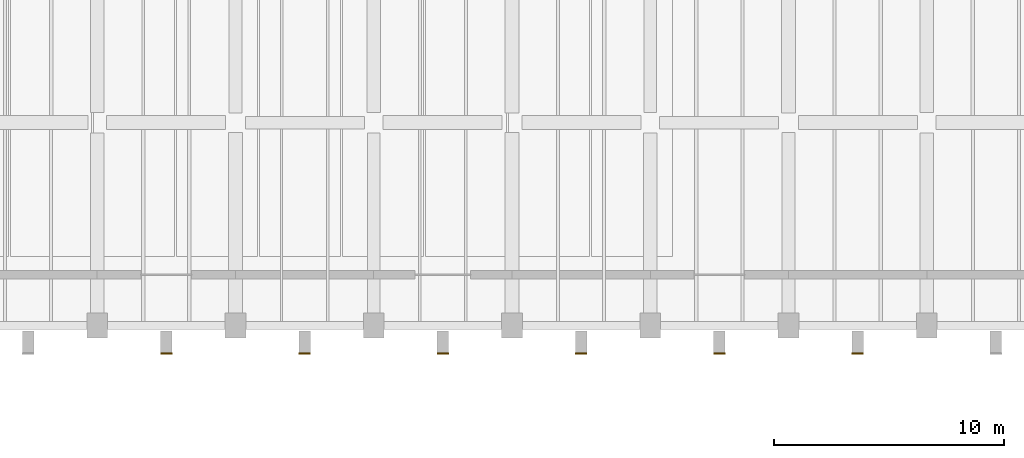
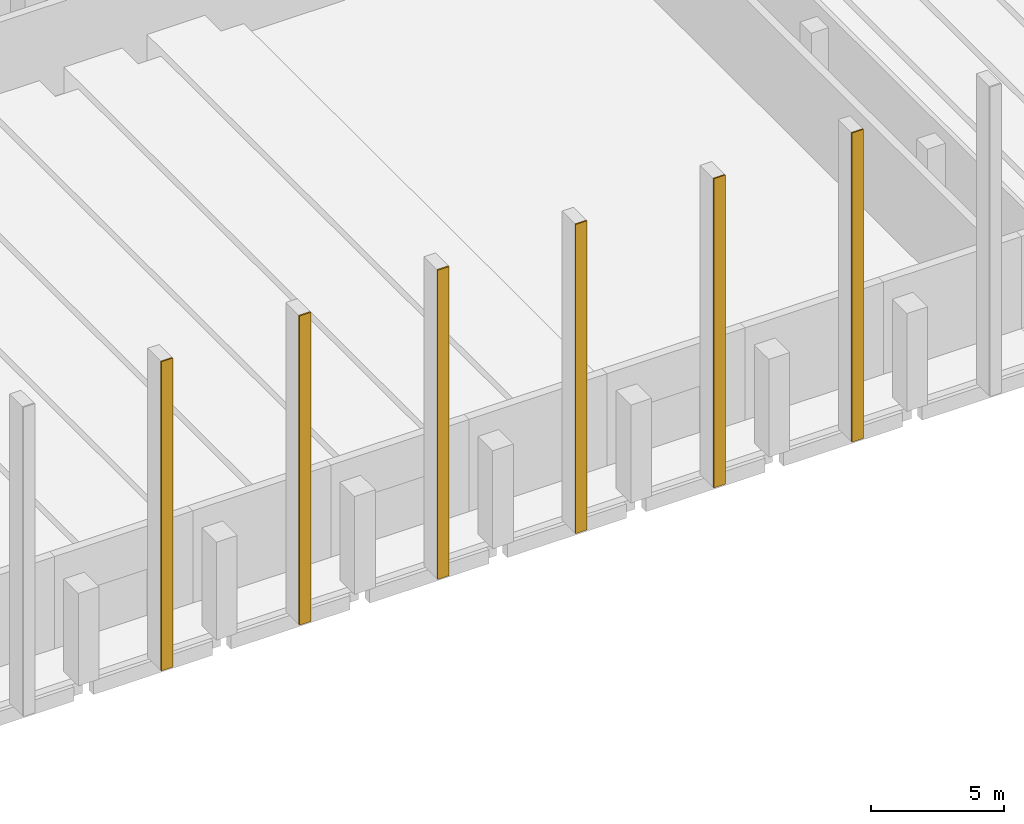
# One storey, part 71 of 76: 6 coverings.
"""IFC4 building model written with IfcOpenShell, lengths in metres."""

from ifc_helpers import new_model, si_unit, direction, frame, origin, origin_2d, place, context, subcontext, project, spatial, rectangle, extrude, material, layer, layer_set, type_object, element, save


model = new_model("IFC4")

# Units and contexts
model_context = context("Model", 3, precision=1e-05, world=origin(), true_north=direction((0.0, 1.0)))
body_context = subcontext(model_context, "Body", "Model", "MODEL_VIEW")
ifc_project = project(units=[si_unit("LENGTHUNIT", "METRE"), si_unit("AREAUNIT", "SQUARE_METRE"), si_unit("VOLUMEUNIT", "CUBIC_METRE"), si_unit("PLANEANGLEUNIT", "RADIAN"), si_unit("MASSUNIT", "GRAM", prefix="KILO")], contexts=[model_context])

# Site, building, storey
site_placement = place(None, origin())
site = spatial("IfcSite", under=ifc_project, at=site_placement, CompositionType="ELEMENT")
building_placement = place(site_placement, origin())
building = spatial("IfcBuilding", under=site, at=building_placement, Name="Varnakota Cinema and Media Centre", CompositionType="ELEMENT")
storey_placement = place(building_placement, origin())
storey = spatial("IfcBuildingStorey", under=building, at=storey_placement, Name="L00", CompositionType="ELEMENT", Elevation=0.0)

# Coverings
ifc_material = material(Name="Pale Tandur limestone cladding", Category="masonry")
ifc_layer = layer(ifc_material, 0.06005859375)
ifc_layer_set = layer_set([ifc_layer], Name="Pale Tandur limestone cladding")
covering_type = type_object("IfcCoveringType", Name="COV-TANDUR-ASHLAR-60", PredefinedType="CLADDING", material=ifc_layer_set)
for number, where, z_axis, x_axis, name in (
    (1, (96.0, -1.22509765625, 0.0), (0.0, 0.0, 1.0), (1.0, 0.0, 0.0), "Hall south buttress pale stone nose 4"),
    (2, (102.0, -1.22509765625, 0.0), (0.0, 0.0, 1.0), (1.0, 0.0, 0.0), "Hall south buttress pale stone nose 5"),
    (3, (108.0, -1.22509765625, 0.0), (0.0, 0.0, 1.0), (1.0, 0.0, 0.0), "Hall south buttress pale stone nose 6"),
    (4, (114.0, -1.22509765625, 0.0), (0.0, 0.0, 1.0), (1.0, 0.0, 0.0), "Hall south buttress pale stone nose 7"),
    (5, (120.0, -1.22509765625, 0.0), (0.0, 0.0, 1.0), (1.0, 0.0, 0.0), "Hall south buttress pale stone nose 8"),
    (6, (126.0, -1.22509765625, 0.0), (0.0, 0.0, 1.0), (1.0, 0.0, 0.0), "Hall south buttress pale stone nose 9"),
):
    element("IfcCovering", number, at=place(storey_placement, frame(where, z_axis=z_axis, x_axis=x_axis)), inside=storey, type_object=covering_type, Name=name, PredefinedType="CLADDING", context=body_context, shape_type="SweptSolid", body=[
        extrude(rectangle(XDim=0.5, YDim=0.06005859375, at=origin_2d()), origin(), (0.0, 0.0, 1.0), 14.199951171875),
    ])

save(model, "model.ifc")
